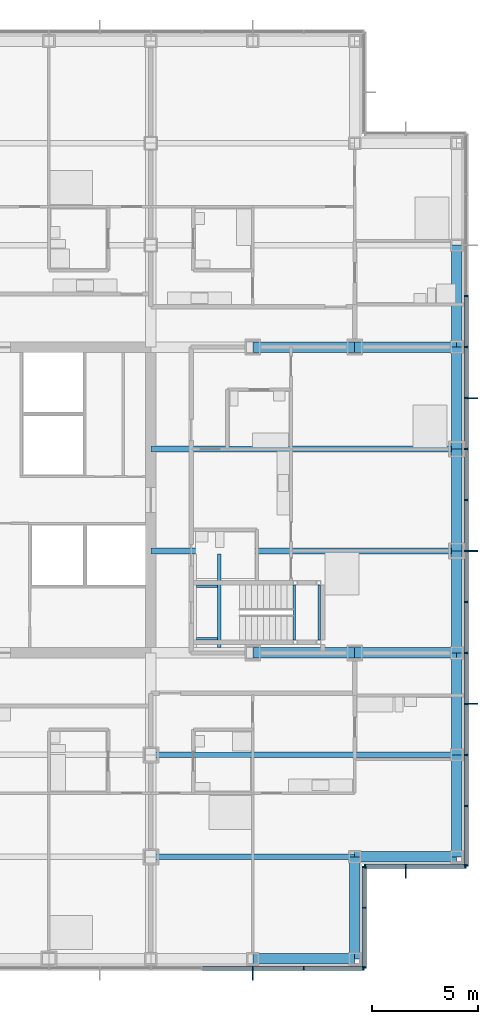
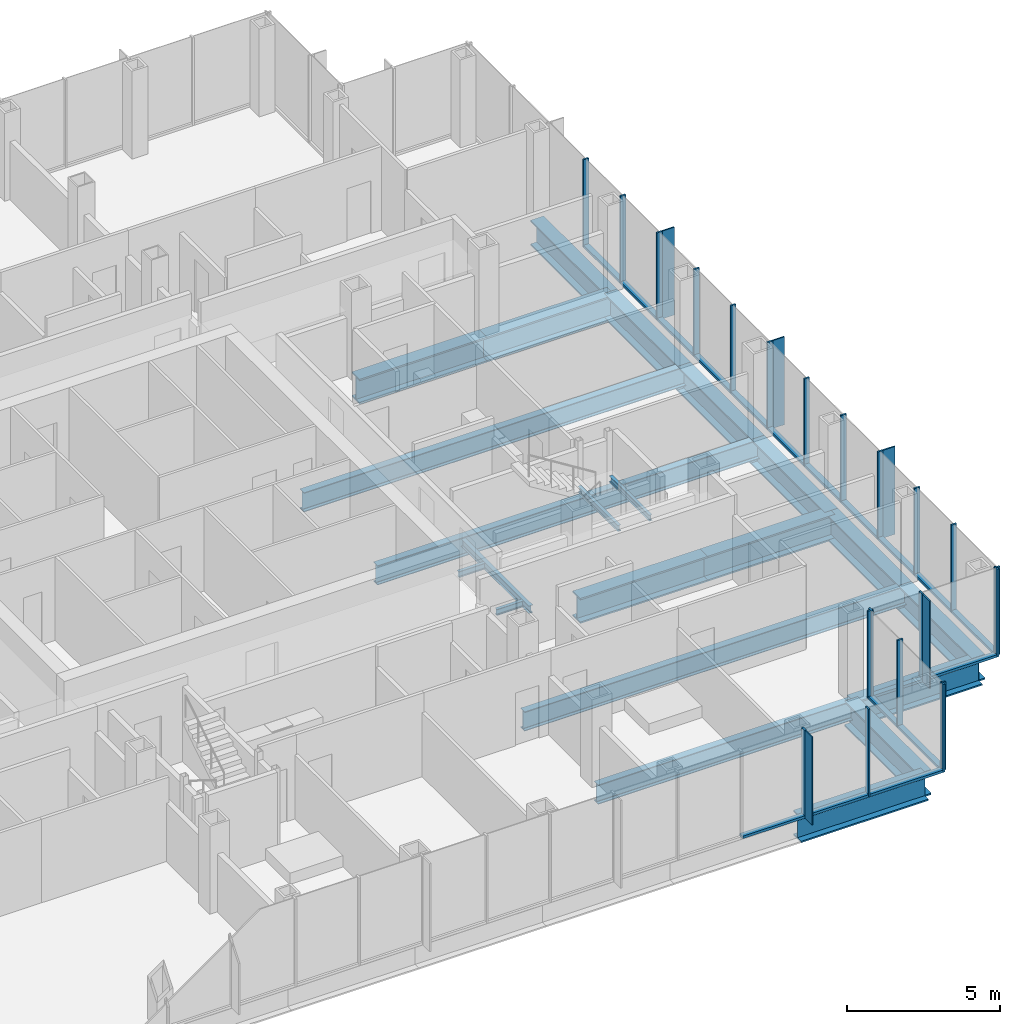
# One storey, part 9 of 21: 44 members, 22 beams, 4 elements without a shape of their own.
"""IFC4 building model written with IfcOpenShell, lengths in metres."""

import ifcopenshell
import ifcopenshell.guid

model = None  # the IFC model being written
_history = None  # IfcOwnerHistory: only IFC2X3 demands one
_inside = {}  # id of a spatial element -> (the spatial element, [elements in it])
_under = {}  # id of a project, library or spatial element -> (it, [spatial elements below it])
_declared = {}  # id of a project -> (the project, [libraries it declares])
_typed = {}  # id of a type object -> (the type object, [elements of that type])
_made_of = {}  # id of a material, layer set ... -> (it, [elements and type objects made of it])


def new_model(schema):
    """Start an empty IFC model of exactly this schema.

    Asked for "IFC4X3", IfcOpenShell would pick the latest addendum, in which some entities
    have other attributes; the version numbers below select the first issue.
    IFC2X3 requires an IfcOwnerHistory on every rooted entity: one is made here for all.
    """
    global model, _history
    if schema == "IFC4X3":
        model = ifcopenshell.file(schema_version=(4, 3, 0, 0))
    else:
        model = ifcopenshell.file(schema=schema)
    _inside.clear()
    _under.clear()
    _declared.clear()
    _typed.clear()
    _made_of.clear()
    _history = None
    if model.schema == "IFC2X3":
        org = make("IfcOrganization", Name="unknown")
        user = make(
            "IfcPersonAndOrganization",
            ThePerson=make("IfcPerson", FamilyName="unknown"),
            TheOrganization=org,
        )
        app = make(
            "IfcApplication",
            ApplicationDeveloper=org,
            Version="unknown",
            ApplicationFullName="unknown",
            ApplicationIdentifier="unknown",
        )
        _history = make(
            "IfcOwnerHistory",
            OwningUser=user,
            OwningApplication=app,
            ChangeAction="ADDED",
            CreationDate=0,
        )
    return model


def make(cls, **values):
    """One entity of the class cls with the attributes given. An attribute that is None is left unset."""
    return model.create_entity(
        cls, **{name: value for name, value in values.items() if value is not None}
    )


def rooted(cls, **values):
    """An entity with a GlobalId (a new one), such as an element, a storey or a relation."""
    return make(cls, GlobalId=ifcopenshell.guid.new(), OwnerHistory=_history, **values)


def si_unit(unit_type, name, prefix=None):
    """IfcSIUnit, for example si_unit("LENGTHUNIT", "METRE", prefix="MILLI")."""
    return make("IfcSIUnit", UnitType=unit_type, Prefix=prefix, Name=name)


def assignment(units):
    """IfcUnitAssignment: the units of a project."""
    return None if units is None else make("IfcUnitAssignment", Units=units)


def point(xyz):
    """IfcCartesianPoint."""
    return None if xyz is None else make("IfcCartesianPoint", Coordinates=xyz)


def direction(xyz):
    """IfcDirection."""
    return None if xyz is None else make("IfcDirection", DirectionRatios=xyz)


def frame(location, z_axis=None, x_axis=None):
    """IfcAxis2Placement3D, a coordinate frame: its origin and axes. An axis left out is left unset."""
    return make(
        "IfcAxis2Placement3D",
        Location=point(location),
        Axis=direction(z_axis),
        RefDirection=direction(x_axis),
    )


def frame_2d(location, x_axis=None):
    """IfcAxis2Placement2D, a coordinate frame in the plane: its origin and x axis."""
    return make(
        "IfcAxis2Placement2D", Location=point(location), RefDirection=direction(x_axis)
    )


def origin():
    """The frame at (0, 0, 0) with its axes left unset."""
    return frame((0.0, 0.0, 0.0))


def origin_2d():
    """The frame at (0, 0) in the plane with its x axis left unset."""
    return frame_2d((0.0, 0.0))


def place(relative_to, where):
    """IfcLocalPlacement: puts the frame where relative to a parent placement (None: the world)."""
    return make(
        "IfcLocalPlacement", PlacementRelTo=relative_to, RelativePlacement=where
    )


def context(
    kind, dimensions, precision=None, world=None, true_north=None, identifier=None
):
    """IfcGeometricRepresentationContext, for example the 3D "Model" context."""
    return make(
        "IfcGeometricRepresentationContext",
        ContextIdentifier=identifier,
        ContextType=kind,
        CoordinateSpaceDimension=dimensions,
        Precision=precision,
        WorldCoordinateSystem=world,
        TrueNorth=true_north,
    )


def subcontext(parent, identifier, kind, view, scale=None):
    """IfcGeometricRepresentationSubContext, for example "Body" below "Model"."""
    return make(
        "IfcGeometricRepresentationSubContext",
        ContextIdentifier=identifier,
        ContextType=kind,
        ParentContext=parent,
        TargetScale=scale,
        TargetView=view,
    )


def project(units=None, contexts=None):
    """IfcProject with its units and contexts."""
    return rooted(
        "IfcProject",
        Name="project",
        RepresentationContexts=contexts,
        UnitsInContext=assignment(units),
    )


def spatial(cls, under=None, at=None, **own):
    """A site, building, storey or space (cls), placed at a placement, below another one or the project."""
    s = rooted(cls, ObjectPlacement=at, **own)
    if under is not None:
        _under.setdefault(under.id(), (under, []))[1].append(s)
    return s


def profile(cls, at=None, kind="AREA", **sizes):
    """A parametric profile (cls). Its sizes go by their IFC names, for example OverallWidth=200.0."""
    return make(cls, ProfileType=kind, Position=at, **sizes)


def rectangle(**sizes):
    """IfcRectangleProfileDef."""
    return profile("IfcRectangleProfileDef", **sizes)


def i_section(**sizes):
    """IfcIShapeProfileDef."""
    return profile("IfcIShapeProfileDef", **sizes)


def extrude(swept, where, along, depth):
    """IfcExtrudedAreaSolid: the profile swept, set in the frame where, extruded along a direction by depth."""
    return make(
        "IfcExtrudedAreaSolid",
        SweptArea=swept,
        Position=where,
        ExtrudedDirection=direction(along),
        Depth=depth,
    )


def shape(context_of_items, identifier, shape_type, items):
    """IfcShapeRepresentation: the items that make up one representation, for example the "Body"."""
    return make(
        "IfcShapeRepresentation",
        ContextOfItems=context_of_items,
        RepresentationIdentifier=identifier,
        RepresentationType=shape_type,
        Items=items,
    )


def material(Name=None, Category=None):
    """IfcMaterial."""
    return make("IfcMaterial", Name=Name, Category=Category)


def material_profile(
    of_material, cross_section, Name=None, Category=None, Priority=None
):
    """IfcMaterialProfile: a cross section and its material."""
    return make(
        "IfcMaterialProfile",
        Name=Name,
        Material=of_material,
        Profile=cross_section,
        Priority=Priority,
        Category=Category,
    )


def profile_set(profiles, Name=None, composite=None):
    """IfcMaterialProfileSet."""
    return make(
        "IfcMaterialProfileSet",
        Name=Name,
        MaterialProfiles=profiles,
        CompositeProfile=composite,
    )


def made_of(thing, what):
    """Note that an element or type object is made of a material, layer set ...; save() writes the relation."""
    if what is not None:
        _made_of.setdefault(what.id(), (what, []))[1].append(thing)
    return thing


def type_object(cls, material=None, **own):
    """A type object (cls), such as IfcWallType, which elements share."""
    return made_of(rooted(cls, **own), material)


def element(
    cls,
    number,
    at=None,
    inside=None,
    cuts=None,
    type_object=None,
    material=None,
    context=None,
    identifier="Body",
    shape_type=None,
    held_by="IfcProductDefinitionShape",
    body=None,
    shapes=None,
    **own,
):
    """One element of the class cls, such as IfcWall. Its Tag is "e" and its number.

    at: its placement. inside: the storey or other place that contains it. cuts: it is an
    opening in that element (IfcRelVoidsElement). A single representation is given by context,
    identifier, shape_type and body (its items); several are given by shapes. held_by: the class
    of the entity that holds the representations. save() writes the other relations.
    """
    e = rooted(cls, Tag="e%d" % number, ObjectPlacement=at, **own)
    if body is not None:
        shapes = [shape(context, identifier, shape_type, body)]
    if shapes is not None:
        e.Representation = make(held_by, Representations=shapes)
    if inside is not None:
        _inside.setdefault(inside.id(), (inside, []))[1].append(e)
    if cuts is not None:
        rooted(
            "IfcRelVoidsElement", RelatingBuildingElement=cuts, RelatedOpeningElement=e
        )
    if type_object is not None:
        _typed.setdefault(type_object.id(), (type_object, []))[1].append(e)
    return made_of(e, material)


def aggregate(whole, parts):
    """IfcRelAggregates: a whole, such as a stair, and the parts it consists of."""
    return rooted("IfcRelAggregates", RelatingObject=whole, RelatedObjects=parts)


def save(model, path):
    """Write the relations noted so far, then the file.

    IfcRelAggregates (storeys below a building ...), IfcRelContainedInSpatialStructure (elements
    in a storey), IfcRelDefinesByType, IfcRelAssociatesMaterial and IfcRelDeclares: one each for
    every whole, place, type object, material and project.
    """
    for whole, parts in _under.values():
        aggregate(whole, parts)
    for where, things in _inside.values():
        rooted(
            "IfcRelContainedInSpatialStructure",
            RelatedElements=things,
            RelatingStructure=where,
        )
    for kind, things in _typed.values():
        rooted("IfcRelDefinesByType", RelatedObjects=things, RelatingType=kind)
    for what, things in _made_of.values():
        rooted("IfcRelAssociatesMaterial", RelatedObjects=things, RelatingMaterial=what)
    for by, libraries in _declared.values():
        rooted("IfcRelDeclares", RelatingContext=by, RelatedDefinitions=libraries)
    model.write(path)


model = new_model("IFC4")

# Units and contexts
model_context = context("Model", 3, precision=1e-05, world=origin(), true_north=direction((0.0, 1.0)))
body_context = subcontext(model_context, "Body", "Model", "MODEL_VIEW")
ifc_project = project(units=[si_unit("LENGTHUNIT", "METRE"), si_unit("AREAUNIT", "SQUARE_METRE"), si_unit("VOLUMEUNIT", "CUBIC_METRE"), si_unit("PLANEANGLEUNIT", "RADIAN"), si_unit("MASSUNIT", "GRAM", prefix="KILO")], contexts=[model_context])

# Site, building, storey
site_placement = place(None, origin())
site = spatial("IfcSite", under=ifc_project, at=site_placement, CompositionType="ELEMENT")
building_placement = place(site_placement, origin())
building = spatial("IfcBuilding", under=site, at=building_placement, Name="Kvirike Care Tower", CompositionType="ELEMENT")
storey_placement = place(building_placement, frame((0.0, 0.0, 62.0)))
storey = spatial("IfcBuildingStorey", under=building, at=storey_placement, Name="L16", CompositionType="ELEMENT", Elevation=62.0)

# Curtain wall, member
ifc_material_1 = material(Name="Anodised aluminium stick system", Category="aluminium")
curtain_wall_type = type_object("IfcCurtainWallType", Name="CW-A STICK CURTAIN WALL", PredefinedType="NOTDEFINED", material=ifc_material_1)
curtain_wall_1_placement = place(storey_placement, origin())
curtain_wall_1 = element("IfcCurtainWall", 1, at=curtain_wall_1_placement, inside=storey, type_object=curtain_wall_type, Name="Curtain wall L16 face 4", PredefinedType="NOTDEFINED")
ifc_material_2 = material(Name="Bronze anodised aluminium fin", Category="aluminium")
ifc_material_profile_1 = material_profile(ifc_material_2, rectangle(XDim=0.050048828125, YDim=0.449951171875, at=origin_2d()), Name="BRONZE FIN 450")
ifc_profile_set_1 = profile_set([ifc_material_profile_1], Name="Bronze anodised aluminium fin")
member_type_1 = type_object("IfcMemberType", Name="BRONZE FIN 450", PredefinedType="USERDEFINED", material=ifc_profile_set_1)
member_1_placement = place(storey_placement, frame((33.60009765625, 13.625, 0.0), z_axis=(0.0, 0.0, 1.0), x_axis=(1.0, 0.0, 0.0)))
member_1 = element("IfcMember", 2, at=member_1_placement, type_object=member_type_1, Name="Bronze fin L16 face 4.13", ObjectType="FIN", PredefinedType="USERDEFINED", context=body_context, shape_type="SweptSolid", body=[
    extrude(rectangle(XDim=0.050048828125, YDim=0.449951171875, at=origin_2d()), origin(), (0.0, 0.0, 1.0), 3.5),
])

curtain_wall_2_placement = place(storey_placement, origin())
curtain_wall_2 = element("IfcCurtainWall", 3, at=curtain_wall_2_placement, inside=storey, type_object=curtain_wall_type, Name="Curtain wall L16 face 6", PredefinedType="NOTDEFINED")
member_2_placement = place(storey_placement, frame((40.800048828125, 18.425048828125, 0.0), z_axis=(0.0, 0.0, 1.0), x_axis=(1.0, 0.0, 0.0)))
member_2 = element("IfcMember", 4, at=member_2_placement, type_object=member_type_1, Name="Bronze fin L16 face 6.2", ObjectType="FIN", PredefinedType="USERDEFINED", context=body_context, shape_type="SweptSolid", body=[
    extrude(rectangle(XDim=0.050048828125, YDim=0.449951171875, at=origin_2d()), origin(), (0.0, 0.0, 1.0), 3.5),
])

# Curtain wall, members
curtain_wall_3_placement = place(storey_placement, origin())
curtain_wall_3 = element("IfcCurtainWall", 5, at=curtain_wall_3_placement, inside=storey, type_object=curtain_wall_type, Name="Curtain wall L16 face 7", PredefinedType="NOTDEFINED")
member_3_placement = place(storey_placement, frame((43.97509765625, 26.39990234375, 0.0), z_axis=(0.0, 0.0, 1.0), x_axis=(0.0, 1.0, 0.0)))
member_3 = element("IfcMember", 6, at=member_3_placement, type_object=member_type_1, Name="Bronze fin L16 face 7.4", ObjectType="FIN", PredefinedType="USERDEFINED", context=body_context, shape_type="SweptSolid", body=[
    extrude(rectangle(XDim=0.050048828125, YDim=0.449951171875, at=origin_2d()), origin(), (0.0, 0.0, 1.0), 3.5),
])
member_4_placement = place(storey_placement, frame((43.97509765625, 33.60009765625, 0.0), z_axis=(0.0, 0.0, 1.0), x_axis=(0.0, 1.0, 0.0)))
member_4 = element("IfcMember", 7, at=member_4_placement, type_object=member_type_1, Name="Bronze fin L16 face 7.7", ObjectType="FIN", PredefinedType="USERDEFINED", context=body_context, shape_type="SweptSolid", body=[
    extrude(rectangle(XDim=0.050048828125, YDim=0.449951171875, at=origin_2d()), origin(), (0.0, 0.0, 1.0), 3.5),
])
member_5_placement = place(storey_placement, frame((43.97509765625, 40.800048828125, 0.0), z_axis=(0.0, 0.0, 1.0), x_axis=(0.0, 1.0, 0.0)))
member_5 = element("IfcMember", 8, at=member_5_placement, type_object=member_type_1, Name="Bronze fin L16 face 7.10", ObjectType="FIN", PredefinedType="USERDEFINED", context=body_context, shape_type="SweptSolid", body=[
    extrude(rectangle(XDim=0.050048828125, YDim=0.449951171875, at=origin_2d()), origin(), (0.0, 0.0, 1.0), 3.5),
])

# Member
ifc_material_3 = material(Name="Bronze anodised aluminium mullion", Category="aluminium")
ifc_material_profile_2 = material_profile(ifc_material_3, rectangle(XDim=0.06494140625, YDim=0.199951171875, at=origin_2d()), Name="CW-A MULLION 65x200")
ifc_profile_set_2 = profile_set([ifc_material_profile_2], Name="Bronze anodised aluminium mullion")
member_type_2 = type_object("IfcMemberType", Name="CW-A MULLION 65x200", PredefinedType="MULLION", material=ifc_profile_set_2)
member_6_placement = place(storey_placement, frame((33.60009765625, 13.949951171875, 0.0), z_axis=(0.0, 0.0, 1.0), x_axis=(1.0, 0.0, 0.0)))
member_6 = element("IfcMember", 9, at=member_6_placement, type_object=member_type_2, Name="CW-A mullion L16 face 4.13", PredefinedType="MULLION", context=body_context, shape_type="SweptSolid", body=[
    extrude(rectangle(XDim=0.06494140625, YDim=0.199951171875, at=origin_2d()), origin(), (0.0, 0.0, 1.0), 3.5),
])

member_7_placement = place(storey_placement, frame((36.0, 13.949951171875, 0.0), z_axis=(0.0, 0.0, 1.0), x_axis=(1.0, 0.0, 0.0)))
member_7 = element("IfcMember", 10, at=member_7_placement, type_object=member_type_2, Name="CW-A mullion L16 face 4.14", PredefinedType="MULLION", context=body_context, shape_type="SweptSolid", body=[
    extrude(rectangle(XDim=0.06494140625, YDim=0.199951171875, at=origin_2d()), origin(), (0.0, 0.0, 1.0), 3.5),
])

member_8_placement = place(storey_placement, frame((38.8173828125, 13.949951171875, 0.0), z_axis=(0.0, 0.0, 1.0), x_axis=(1.0, 0.0, 0.0)))
member_8 = element("IfcMember", 11, at=member_8_placement, type_object=member_type_2, Name="CW-A mullion L16 face 4.15", PredefinedType="MULLION", context=body_context, shape_type="SweptSolid", body=[
    extrude(rectangle(XDim=0.06494140625, YDim=0.199951171875, at=origin_2d()), origin(), (0.0, 0.0, 1.0), 3.5),
])

# Curtain wall, members
curtain_wall_4_placement = place(storey_placement, origin())
curtain_wall_4 = element("IfcCurtainWall", 12, at=curtain_wall_4_placement, inside=storey, type_object=curtain_wall_type, Name="Curtain wall L16 face 5", PredefinedType="NOTDEFINED")
member_9_placement = place(storey_placement, frame((38.85009765625, 13.982421875, 0.0), z_axis=(0.0, 0.0, 1.0), x_axis=(0.0, 1.0, 0.0)))
member_9 = element("IfcMember", 13, at=member_9_placement, type_object=member_type_2, Name="CW-A mullion L16 face 5.1", PredefinedType="MULLION", context=body_context, shape_type="SweptSolid", body=[
    extrude(rectangle(XDim=0.06494140625, YDim=0.199951171875, at=origin_2d()), origin(), (0.0, 0.0, 1.0), 3.5),
])
member_10_placement = place(storey_placement, frame((38.85009765625, 16.800048828125, 0.0), z_axis=(0.0, 0.0, 1.0), x_axis=(0.0, 1.0, 0.0)))
member_10 = element("IfcMember", 14, at=member_10_placement, type_object=member_type_2, Name="CW-A mullion L16 face 5.2", PredefinedType="MULLION", context=body_context, shape_type="SweptSolid", body=[
    extrude(rectangle(XDim=0.06494140625, YDim=0.199951171875, at=origin_2d()), origin(), (0.0, 0.0, 1.0), 3.5),
])
member_11_placement = place(storey_placement, frame((38.85009765625, 18.717529296875, 0.0), z_axis=(0.0, 0.0, 1.0), x_axis=(0.0, 1.0, 0.0)))
member_11 = element("IfcMember", 15, at=member_11_placement, type_object=member_type_2, Name="CW-A mullion L16 face 5.3", PredefinedType="MULLION", context=body_context, shape_type="SweptSolid", body=[
    extrude(rectangle(XDim=0.06494140625, YDim=0.199951171875, at=origin_2d()), origin(), (0.0, 0.0, 1.0), 3.5),
])

# Member
member_12_placement = place(storey_placement, frame((38.882568359375, 18.75, 0.0), z_axis=(0.0, 0.0, 1.0), x_axis=(1.0, 0.0, 0.0)))
member_12 = element("IfcMember", 16, at=member_12_placement, type_object=member_type_2, Name="CW-A mullion L16 face 6.1", PredefinedType="MULLION", context=body_context, shape_type="SweptSolid", body=[
    extrude(rectangle(XDim=0.06494140625, YDim=0.199951171875, at=origin_2d()), origin(), (0.0, 0.0, 1.0), 3.5),
])

member_13_placement = place(storey_placement, frame((40.800048828125, 18.75, 0.0), z_axis=(0.0, 0.0, 1.0), x_axis=(1.0, 0.0, 0.0)))
member_13 = element("IfcMember", 17, at=member_13_placement, type_object=member_type_2, Name="CW-A mullion L16 face 6.2", PredefinedType="MULLION", context=body_context, shape_type="SweptSolid", body=[
    extrude(rectangle(XDim=0.06494140625, YDim=0.199951171875, at=origin_2d()), origin(), (0.0, 0.0, 1.0), 3.5),
])

member_14_placement = place(storey_placement, frame((43.617431640625, 18.75, 0.0), z_axis=(0.0, 0.0, 1.0), x_axis=(1.0, 0.0, 0.0)))
member_14 = element("IfcMember", 18, at=member_14_placement, type_object=member_type_2, Name="CW-A mullion L16 face 6.3", PredefinedType="MULLION", context=body_context, shape_type="SweptSolid", body=[
    extrude(rectangle(XDim=0.06494140625, YDim=0.199951171875, at=origin_2d()), origin(), (0.0, 0.0, 1.0), 3.5),
])

member_15_placement = place(storey_placement, frame((43.64990234375, 18.782470703125, 0.0), z_axis=(0.0, 0.0, 1.0), x_axis=(0.0, 1.0, 0.0)))
member_15 = element("IfcMember", 19, at=member_15_placement, type_object=member_type_2, Name="CW-A mullion L16 face 7.1", PredefinedType="MULLION", context=body_context, shape_type="SweptSolid", body=[
    extrude(rectangle(XDim=0.06494140625, YDim=0.199951171875, at=origin_2d()), origin(), (0.0, 0.0, 1.0), 3.5),
])

member_16_placement = place(storey_placement, frame((43.64990234375, 21.60009765625, 0.0), z_axis=(0.0, 0.0, 1.0), x_axis=(0.0, 1.0, 0.0)))
member_16 = element("IfcMember", 20, at=member_16_placement, type_object=member_type_2, Name="CW-A mullion L16 face 7.2", PredefinedType="MULLION", context=body_context, shape_type="SweptSolid", body=[
    extrude(rectangle(XDim=0.06494140625, YDim=0.199951171875, at=origin_2d()), origin(), (0.0, 0.0, 1.0), 3.5),
])

member_17_placement = place(storey_placement, frame((43.64990234375, 24.0, 0.0), z_axis=(0.0, 0.0, 1.0), x_axis=(0.0, 1.0, 0.0)))
member_17 = element("IfcMember", 21, at=member_17_placement, type_object=member_type_2, Name="CW-A mullion L16 face 7.3", PredefinedType="MULLION", context=body_context, shape_type="SweptSolid", body=[
    extrude(rectangle(XDim=0.06494140625, YDim=0.199951171875, at=origin_2d()), origin(), (0.0, 0.0, 1.0), 3.5),
])

member_18_placement = place(storey_placement, frame((43.64990234375, 26.39990234375, 0.0), z_axis=(0.0, 0.0, 1.0), x_axis=(0.0, 1.0, 0.0)))
member_18 = element("IfcMember", 22, at=member_18_placement, type_object=member_type_2, Name="CW-A mullion L16 face 7.4", PredefinedType="MULLION", context=body_context, shape_type="SweptSolid", body=[
    extrude(rectangle(XDim=0.06494140625, YDim=0.199951171875, at=origin_2d()), origin(), (0.0, 0.0, 1.0), 3.5),
])

member_19_placement = place(storey_placement, frame((43.64990234375, 28.800048828125, 0.0), z_axis=(0.0, 0.0, 1.0), x_axis=(0.0, 1.0, 0.0)))
member_19 = element("IfcMember", 23, at=member_19_placement, type_object=member_type_2, Name="CW-A mullion L16 face 7.5", PredefinedType="MULLION", context=body_context, shape_type="SweptSolid", body=[
    extrude(rectangle(XDim=0.06494140625, YDim=0.199951171875, at=origin_2d()), origin(), (0.0, 0.0, 1.0), 3.5),
])

member_20_placement = place(storey_placement, frame((43.64990234375, 31.199951171875, 0.0), z_axis=(0.0, 0.0, 1.0), x_axis=(0.0, 1.0, 0.0)))
member_20 = element("IfcMember", 24, at=member_20_placement, type_object=member_type_2, Name="CW-A mullion L16 face 7.6", PredefinedType="MULLION", context=body_context, shape_type="SweptSolid", body=[
    extrude(rectangle(XDim=0.06494140625, YDim=0.199951171875, at=origin_2d()), origin(), (0.0, 0.0, 1.0), 3.5),
])

member_21_placement = place(storey_placement, frame((43.64990234375, 33.60009765625, 0.0), z_axis=(0.0, 0.0, 1.0), x_axis=(0.0, 1.0, 0.0)))
member_21 = element("IfcMember", 25, at=member_21_placement, type_object=member_type_2, Name="CW-A mullion L16 face 7.7", PredefinedType="MULLION", context=body_context, shape_type="SweptSolid", body=[
    extrude(rectangle(XDim=0.06494140625, YDim=0.199951171875, at=origin_2d()), origin(), (0.0, 0.0, 1.0), 3.5),
])

member_22_placement = place(storey_placement, frame((43.64990234375, 36.0, 0.0), z_axis=(0.0, 0.0, 1.0), x_axis=(0.0, 1.0, 0.0)))
member_22 = element("IfcMember", 26, at=member_22_placement, type_object=member_type_2, Name="CW-A mullion L16 face 7.8", PredefinedType="MULLION", context=body_context, shape_type="SweptSolid", body=[
    extrude(rectangle(XDim=0.06494140625, YDim=0.199951171875, at=origin_2d()), origin(), (0.0, 0.0, 1.0), 3.5),
])

member_23_placement = place(storey_placement, frame((43.64990234375, 38.39990234375, 0.0), z_axis=(0.0, 0.0, 1.0), x_axis=(0.0, 1.0, 0.0)))
member_23 = element("IfcMember", 27, at=member_23_placement, type_object=member_type_2, Name="CW-A mullion L16 face 7.9", PredefinedType="MULLION", context=body_context, shape_type="SweptSolid", body=[
    extrude(rectangle(XDim=0.06494140625, YDim=0.199951171875, at=origin_2d()), origin(), (0.0, 0.0, 1.0), 3.5),
])

member_24_placement = place(storey_placement, frame((43.64990234375, 40.800048828125, 0.0), z_axis=(0.0, 0.0, 1.0), x_axis=(0.0, 1.0, 0.0)))
member_24 = element("IfcMember", 28, at=member_24_placement, type_object=member_type_2, Name="CW-A mullion L16 face 7.10", PredefinedType="MULLION", context=body_context, shape_type="SweptSolid", body=[
    extrude(rectangle(XDim=0.06494140625, YDim=0.199951171875, at=origin_2d()), origin(), (0.0, 0.0, 1.0), 3.5),
])

member_25_placement = place(storey_placement, frame((43.64990234375, 43.199951171875, 0.0), z_axis=(0.0, 0.0, 1.0), x_axis=(0.0, 1.0, 0.0)))
member_25 = element("IfcMember", 29, at=member_25_placement, type_object=member_type_2, Name="CW-A mullion L16 face 7.11", PredefinedType="MULLION", context=body_context, shape_type="SweptSolid", body=[
    extrude(rectangle(XDim=0.06494140625, YDim=0.199951171875, at=origin_2d()), origin(), (0.0, 0.0, 1.0), 3.5),
])

member_26_placement = place(storey_placement, frame((43.64990234375, 45.60009765625, 0.0), z_axis=(0.0, 0.0, 1.0), x_axis=(0.0, 1.0, 0.0)))
member_26 = element("IfcMember", 30, at=member_26_placement, type_object=member_type_2, Name="CW-A mullion L16 face 7.12", PredefinedType="MULLION", context=body_context, shape_type="SweptSolid", body=[
    extrude(rectangle(XDim=0.06494140625, YDim=0.199951171875, at=origin_2d()), origin(), (0.0, 0.0, 1.0), 3.5),
])

ifc_material_4 = material(Name="Bronze anodised aluminium transom", Category="aluminium")
ifc_material_profile_3 = material_profile(ifc_material_4, rectangle(XDim=0.199951171875, YDim=0.10009765625, at=origin_2d()), Name="CW-A TRANSOM 200x100")
ifc_profile_set_3 = profile_set([ifc_material_profile_3], Name="Bronze anodised aluminium transom")
member_type_3 = type_object("IfcMemberType", Name="CW-A TRANSOM 200x100", PredefinedType="USERDEFINED", material=ifc_profile_set_3)
member_27_placement = place(storey_placement, frame((31.232421875, 13.949951171875, 0.050048828125), z_axis=(1.0, 0.0, 0.0), x_axis=(0.0, 1.0, 0.0)))
member_27 = element("IfcMember", 31, at=member_27_placement, type_object=member_type_3, Name="CW-A sill transom L16 face 4.12", ObjectType="TRANSOM", PredefinedType="USERDEFINED", context=body_context, shape_type="SweptSolid", body=[
    extrude(rectangle(XDim=0.199951171875, YDim=0.10009765625, at=origin_2d()), origin(), (0.0, 0.0, 1.0), 2.3349609375),
])

member_28_placement = place(storey_placement, frame((33.632568359375, 13.949951171875, 0.050048828125), z_axis=(1.0, 0.0, 0.0), x_axis=(0.0, 1.0, 0.0)))
member_28 = element("IfcMember", 32, at=member_28_placement, type_object=member_type_3, Name="CW-A sill transom L16 face 4.13", ObjectType="TRANSOM", PredefinedType="USERDEFINED", context=body_context, shape_type="SweptSolid", body=[
    extrude(rectangle(XDim=0.199951171875, YDim=0.10009765625, at=origin_2d()), origin(), (0.0, 0.0, 1.0), 2.3349609375),
])

member_29_placement = place(storey_placement, frame((36.032470703125, 13.949951171875, 0.050048828125), z_axis=(1.0, 0.0, 0.0), x_axis=(0.0, 1.0, 0.0)))
member_29 = element("IfcMember", 33, at=member_29_placement, type_object=member_type_3, Name="CW-A sill transom L16 face 4.14", ObjectType="TRANSOM", PredefinedType="USERDEFINED", context=body_context, shape_type="SweptSolid", body=[
    extrude(rectangle(XDim=0.199951171875, YDim=0.10009765625, at=origin_2d()), origin(), (0.0, 0.0, 1.0), 2.75244140625),
])

aggregate(curtain_wall_1, [member_6, member_1, member_7, member_8, member_27, member_28, member_29])

member_30_placement = place(storey_placement, frame((38.85009765625, 14.014892578125, 0.050048828125), z_axis=(0.0, 1.0, 0.0), x_axis=(-1.0, 0.0, 0.0)))
member_30 = element("IfcMember", 34, at=member_30_placement, type_object=member_type_3, Name="CW-A sill transom L16 face 5.1", ObjectType="TRANSOM", PredefinedType="USERDEFINED", context=body_context, shape_type="SweptSolid", body=[
    extrude(rectangle(XDim=0.199951171875, YDim=0.10009765625, at=origin_2d()), origin(), (0.0, 0.0, 1.0), 2.752685546875),
])

member_31_placement = place(storey_placement, frame((38.85009765625, 16.83251953125, 0.050048828125), z_axis=(0.0, 1.0, 0.0), x_axis=(-1.0, 0.0, 0.0)))
member_31 = element("IfcMember", 35, at=member_31_placement, type_object=member_type_3, Name="CW-A sill transom L16 face 5.2", ObjectType="TRANSOM", PredefinedType="USERDEFINED", context=body_context, shape_type="SweptSolid", body=[
    extrude(rectangle(XDim=0.199951171875, YDim=0.10009765625, at=origin_2d()), origin(), (0.0, 0.0, 1.0), 1.8525390625),
])

aggregate(curtain_wall_4, [member_9, member_10, member_11, member_30, member_31])

member_32_placement = place(storey_placement, frame((38.9150390625, 18.75, 0.050048828125), z_axis=(1.0, 0.0, 0.0), x_axis=(0.0, 1.0, 0.0)))
member_32 = element("IfcMember", 36, at=member_32_placement, type_object=member_type_3, Name="CW-A sill transom L16 face 6.1", ObjectType="TRANSOM", PredefinedType="USERDEFINED", context=body_context, shape_type="SweptSolid", body=[
    extrude(rectangle(XDim=0.199951171875, YDim=0.10009765625, at=origin_2d()), origin(), (0.0, 0.0, 1.0), 1.8525390625),
])

member_33_placement = place(storey_placement, frame((40.83251953125, 18.75, 0.050048828125), z_axis=(1.0, 0.0, 0.0), x_axis=(0.0, 1.0, 0.0)))
member_33 = element("IfcMember", 37, at=member_33_placement, type_object=member_type_3, Name="CW-A sill transom L16 face 6.2", ObjectType="TRANSOM", PredefinedType="USERDEFINED", context=body_context, shape_type="SweptSolid", body=[
    extrude(rectangle(XDim=0.199951171875, YDim=0.10009765625, at=origin_2d()), origin(), (0.0, 0.0, 1.0), 2.75244140625),
])

aggregate(curtain_wall_2, [member_12, member_13, member_2, member_14, member_32, member_33])

member_34_placement = place(storey_placement, frame((43.64990234375, 18.81494140625, 0.050048828125), z_axis=(0.0, 1.0, 0.0), x_axis=(-1.0, 0.0, 0.0)))
member_34 = element("IfcMember", 38, at=member_34_placement, type_object=member_type_3, Name="CW-A sill transom L16 face 7.1", ObjectType="TRANSOM", PredefinedType="USERDEFINED", context=body_context, shape_type="SweptSolid", body=[
    extrude(rectangle(XDim=0.199951171875, YDim=0.10009765625, at=origin_2d()), origin(), (0.0, 0.0, 1.0), 2.75244140625),
])

member_35_placement = place(storey_placement, frame((43.64990234375, 21.632568359375, 0.050048828125), z_axis=(0.0, 1.0, 0.0), x_axis=(-1.0, 0.0, 0.0)))
member_35 = element("IfcMember", 39, at=member_35_placement, type_object=member_type_3, Name="CW-A sill transom L16 face 7.2", ObjectType="TRANSOM", PredefinedType="USERDEFINED", context=body_context, shape_type="SweptSolid", body=[
    extrude(rectangle(XDim=0.199951171875, YDim=0.10009765625, at=origin_2d()), origin(), (0.0, 0.0, 1.0), 2.3349609375),
])

member_36_placement = place(storey_placement, frame((43.64990234375, 24.032470703125, 0.050048828125), z_axis=(0.0, 1.0, 0.0), x_axis=(-1.0, 0.0, 0.0)))
member_36 = element("IfcMember", 40, at=member_36_placement, type_object=member_type_3, Name="CW-A sill transom L16 face 7.3", ObjectType="TRANSOM", PredefinedType="USERDEFINED", context=body_context, shape_type="SweptSolid", body=[
    extrude(rectangle(XDim=0.199951171875, YDim=0.10009765625, at=origin_2d()), origin(), (0.0, 0.0, 1.0), 2.3349609375),
])

member_37_placement = place(storey_placement, frame((43.64990234375, 26.4326171875, 0.050048828125), z_axis=(0.0, 1.0, 0.0), x_axis=(-1.0, 0.0, 0.0)))
member_37 = element("IfcMember", 41, at=member_37_placement, type_object=member_type_3, Name="CW-A sill transom L16 face 7.4", ObjectType="TRANSOM", PredefinedType="USERDEFINED", context=body_context, shape_type="SweptSolid", body=[
    extrude(rectangle(XDim=0.199951171875, YDim=0.10009765625, at=origin_2d()), origin(), (0.0, 0.0, 1.0), 2.3349609375),
])

member_38_placement = place(storey_placement, frame((43.64990234375, 28.83251953125, 0.050048828125), z_axis=(0.0, 1.0, 0.0), x_axis=(-1.0, 0.0, 0.0)))
member_38 = element("IfcMember", 42, at=member_38_placement, type_object=member_type_3, Name="CW-A sill transom L16 face 7.5", ObjectType="TRANSOM", PredefinedType="USERDEFINED", context=body_context, shape_type="SweptSolid", body=[
    extrude(rectangle(XDim=0.199951171875, YDim=0.10009765625, at=origin_2d()), origin(), (0.0, 0.0, 1.0), 2.3349609375),
])

member_39_placement = place(storey_placement, frame((43.64990234375, 31.232421875, 0.050048828125), z_axis=(0.0, 1.0, 0.0), x_axis=(-1.0, 0.0, 0.0)))
member_39 = element("IfcMember", 43, at=member_39_placement, type_object=member_type_3, Name="CW-A sill transom L16 face 7.6", ObjectType="TRANSOM", PredefinedType="USERDEFINED", context=body_context, shape_type="SweptSolid", body=[
    extrude(rectangle(XDim=0.199951171875, YDim=0.10009765625, at=origin_2d()), origin(), (0.0, 0.0, 1.0), 2.3349609375),
])

member_40_placement = place(storey_placement, frame((43.64990234375, 33.632568359375, 0.050048828125), z_axis=(0.0, 1.0, 0.0), x_axis=(-1.0, 0.0, 0.0)))
member_40 = element("IfcMember", 44, at=member_40_placement, type_object=member_type_3, Name="CW-A sill transom L16 face 7.7", ObjectType="TRANSOM", PredefinedType="USERDEFINED", context=body_context, shape_type="SweptSolid", body=[
    extrude(rectangle(XDim=0.199951171875, YDim=0.10009765625, at=origin_2d()), origin(), (0.0, 0.0, 1.0), 2.3349609375),
])

member_41_placement = place(storey_placement, frame((43.64990234375, 36.032470703125, 0.050048828125), z_axis=(0.0, 1.0, 0.0), x_axis=(-1.0, 0.0, 0.0)))
member_41 = element("IfcMember", 45, at=member_41_placement, type_object=member_type_3, Name="CW-A sill transom L16 face 7.8", ObjectType="TRANSOM", PredefinedType="USERDEFINED", context=body_context, shape_type="SweptSolid", body=[
    extrude(rectangle(XDim=0.199951171875, YDim=0.10009765625, at=origin_2d()), origin(), (0.0, 0.0, 1.0), 2.3349609375),
])

member_42_placement = place(storey_placement, frame((43.64990234375, 38.4326171875, 0.050048828125), z_axis=(0.0, 1.0, 0.0), x_axis=(-1.0, 0.0, 0.0)))
member_42 = element("IfcMember", 46, at=member_42_placement, type_object=member_type_3, Name="CW-A sill transom L16 face 7.9", ObjectType="TRANSOM", PredefinedType="USERDEFINED", context=body_context, shape_type="SweptSolid", body=[
    extrude(rectangle(XDim=0.199951171875, YDim=0.10009765625, at=origin_2d()), origin(), (0.0, 0.0, 1.0), 2.3349609375),
])

member_43_placement = place(storey_placement, frame((43.64990234375, 40.83251953125, 0.050048828125), z_axis=(0.0, 1.0, 0.0), x_axis=(-1.0, 0.0, 0.0)))
member_43 = element("IfcMember", 47, at=member_43_placement, type_object=member_type_3, Name="CW-A sill transom L16 face 7.10", ObjectType="TRANSOM", PredefinedType="USERDEFINED", context=body_context, shape_type="SweptSolid", body=[
    extrude(rectangle(XDim=0.199951171875, YDim=0.10009765625, at=origin_2d()), origin(), (0.0, 0.0, 1.0), 2.3349609375),
])

member_44_placement = place(storey_placement, frame((43.64990234375, 43.232421875, 0.050048828125), z_axis=(0.0, 1.0, 0.0), x_axis=(-1.0, 0.0, 0.0)))
member_44 = element("IfcMember", 48, at=member_44_placement, type_object=member_type_3, Name="CW-A sill transom L16 face 7.11", ObjectType="TRANSOM", PredefinedType="USERDEFINED", context=body_context, shape_type="SweptSolid", body=[
    extrude(rectangle(XDim=0.199951171875, YDim=0.10009765625, at=origin_2d()), origin(), (0.0, 0.0, 1.0), 2.3349609375),
])

aggregate(curtain_wall_3, [member_15, member_16, member_17, member_18, member_3, member_19, member_20, member_21, member_4, member_22, member_23, member_24, member_5, member_25, member_26, member_34, member_35, member_36, member_37, member_38, member_39, member_40, member_41, member_42, member_43, member_44])

# Beams
ifc_material_5 = material(Name="Steel S355", Category="steel")
ifc_material_profile_4 = material_profile(ifc_material_5, i_section(OverallWidth=0.26806640625, OverallDepth=0.77001953125, WebThickness=0.015625, FlangeThickness=0.025390625, FilletRadius=0.01708984375, at=origin_2d()), Name="IPE 750x196")
ifc_profile_set_4 = profile_set([ifc_material_profile_4], Name="Steel S355")
beam_type_1 = type_object("IfcBeamType", Name="FLOOR BEAM IPE 750x196", PredefinedType="BEAM", material=ifc_profile_set_4)
beam_1_placement = place(storey_placement, frame((28.800048828125, 19.199951171875, -0.554931640625), z_axis=(1.0, 0.0, 0.0), x_axis=(0.0, 1.0, 0.0)))
element("IfcBeam", 49, at=beam_1_placement, inside=storey, type_object=beam_type_1, Name="Floor Beam E9-E11 L16", PredefinedType="BEAM", context=body_context, shape_type="SweptSolid", body=[
    extrude(i_section(OverallWidth=0.26806640625, OverallDepth=0.77001953125, WebThickness=0.015625, FlangeThickness=0.025390625, FilletRadius=0.01708984375, at=origin_2d()), origin(), (0.0, 0.0, 1.0), 9.599853515625),
])
for number, where, z_axis, x_axis, name in (
    (50, (28.800048828125, 24.0, -0.554931640625), (1.0, 0.0, 0.0), (0.0, 1.0, 0.0), "Floor Beam F9-F12 L16"),
    (51, (28.800048828125, 33.60009765625, -0.554931640625), (1.0, 0.0, 0.0), (0.0, 1.0, 0.0), "Floor Beam H9-H12 L16"),
    (52, (28.800048828125, 38.39990234375, -0.554931640625), (1.0, 0.0, 0.0), (0.0, 1.0, 0.0), "Floor Beam J9-J12 L16"),
):
    element("IfcBeam", number, at=place(storey_placement, frame(where, z_axis=z_axis, x_axis=x_axis)), inside=storey, type_object=beam_type_1, Name=name, PredefinedType="BEAM", context=body_context, shape_type="SweptSolid", body=[
        extrude(i_section(OverallWidth=0.26806640625, OverallDepth=0.77001953125, WebThickness=0.015625, FlangeThickness=0.025390625, FilletRadius=0.01708984375, at=origin_2d()), origin(), (0.0, 0.0, 1.0), 14.39990234375),
    ])
ifc_material_6 = material(Name="Steel S355", Category="steel")
ifc_material_profile_5 = material_profile(ifc_material_6, i_section(OverallWidth=0.5, OverallDepth=1.0, WebThickness=0.030029296875, FlangeThickness=0.06005859375, at=origin_2d()), Name="PG 1000x500x30x60")
ifc_profile_set_5 = profile_set([ifc_material_profile_5], Name="Steel S355")
beam_type_2 = type_object("IfcBeamType", Name="FRAME BEAM PG 1000x500x30x60", PredefinedType="BEAM", material=ifc_profile_set_5)
beam_2_placement = place(storey_placement, frame((33.60009765625, 28.800048828125, -0.669921875), z_axis=(1.0, 0.0, 0.0), x_axis=(0.0, 1.0, 0.0)))
element("IfcBeam", 53, at=beam_2_placement, inside=storey, type_object=beam_type_2, Name="Frame Beam G10-G11 L16", PredefinedType="BEAM", context=body_context, shape_type="SweptSolid", body=[
    extrude(i_section(OverallWidth=0.5, OverallDepth=1.0, WebThickness=0.030029296875, FlangeThickness=0.06005859375, at=origin_2d()), origin(), (0.0, 0.0, 1.0), 4.7998046875),
])
beam_3_placement = place(storey_placement, frame((38.39990234375, 28.800048828125, -0.669921875), z_axis=(1.0, 0.0, 0.0), x_axis=(0.0, 1.0, 0.0)))
element("IfcBeam", 54, at=beam_3_placement, inside=storey, type_object=beam_type_2, Name="Frame Beam G11-G12 L16", PredefinedType="BEAM", context=body_context, shape_type="SweptSolid", body=[
    extrude(i_section(OverallWidth=0.5, OverallDepth=1.0, WebThickness=0.030029296875, FlangeThickness=0.06005859375, at=origin_2d()), origin(), (0.0, 0.0, 1.0), 4.800048828125),
])
beam_4_placement = place(storey_placement, frame((33.60009765625, 43.199951171875, -0.669921875), z_axis=(1.0, 0.0, 0.0), x_axis=(0.0, 1.0, 0.0)))
element("IfcBeam", 55, at=beam_4_placement, inside=storey, type_object=beam_type_2, Name="Frame Beam K10-K11 L16", PredefinedType="BEAM", context=body_context, shape_type="SweptSolid", body=[
    extrude(i_section(OverallWidth=0.5, OverallDepth=1.0, WebThickness=0.030029296875, FlangeThickness=0.06005859375, at=origin_2d()), origin(), (0.0, 0.0, 1.0), 4.7998046875),
])
beam_5_placement = place(storey_placement, frame((38.39990234375, 43.199951171875, -0.669921875), z_axis=(1.0, 0.0, 0.0), x_axis=(0.0, 1.0, 0.0)))
element("IfcBeam", 56, at=beam_5_placement, inside=storey, type_object=beam_type_2, Name="Frame Beam K11-K12 L16", PredefinedType="BEAM", context=body_context, shape_type="SweptSolid", body=[
    extrude(i_section(OverallWidth=0.5, OverallDepth=1.0, WebThickness=0.030029296875, FlangeThickness=0.06005859375, at=origin_2d()), origin(), (0.0, 0.0, 1.0), 4.800048828125),
])
ifc_material_7 = material(Name="Steel S355", Category="steel")
ifc_material_profile_6 = material_profile(ifc_material_7, i_section(OverallWidth=0.5, OverallDepth=1.0, WebThickness=0.030029296875, FlangeThickness=0.06005859375, at=origin_2d()), Name="PG 1000x500x30x60")
ifc_profile_set_6 = profile_set([ifc_material_profile_6], Name="Steel S355")
beam_type_3 = type_object("IfcBeamType", Name="SPANDREL PG 1000x500x30x60", PredefinedType="SPANDREL", material=ifc_profile_set_6)
beam_6_placement = place(storey_placement, frame((33.60009765625, 14.39990234375, -0.669921875), z_axis=(1.0, 0.0, 0.0), x_axis=(0.0, 1.0, 0.0)))
element("IfcBeam", 57, at=beam_6_placement, inside=storey, type_object=beam_type_3, Name="Spandrel D10-D11 L16", PredefinedType="SPANDREL", context=body_context, shape_type="SweptSolid", body=[
    extrude(i_section(OverallWidth=0.5, OverallDepth=1.0, WebThickness=0.030029296875, FlangeThickness=0.06005859375, at=origin_2d()), origin(), (0.0, 0.0, 1.0), 4.7998046875),
])
for number, where, z_axis, x_axis, name in (
    (58, (38.39990234375, 19.199951171875, -0.669921875), (1.0, 0.0, 0.0), (0.0, 1.0, 0.0), "Spandrel E11-E12 L16"),
    (59, (38.39990234375, 14.39990234375, -0.669921875), (0.0, 1.0, 0.0), (-1.0, 0.0, 0.0), "Spandrel D11-E11 L16"),
    (60, (43.199951171875, 19.199951171875, -0.669921875), (0.0, 1.0, 0.0), (-1.0, 0.0, 0.0), "Spandrel E12-F12 L16"),
    (61, (43.199951171875, 24.0, -0.669921875), (0.0, 1.0, 0.0), (-1.0, 0.0, 0.0), "Spandrel F12-G12 L16"),
    (62, (43.199951171875, 28.800048828125, -0.669921875), (0.0, 1.0, 0.0), (-1.0, 0.0, 0.0), "Spandrel G12-H12 L16"),
):
    element("IfcBeam", number, at=place(storey_placement, frame(where, z_axis=z_axis, x_axis=x_axis)), inside=storey, type_object=beam_type_3, Name=name, PredefinedType="SPANDREL", context=body_context, shape_type="SweptSolid", body=[
        extrude(i_section(OverallWidth=0.5, OverallDepth=1.0, WebThickness=0.030029296875, FlangeThickness=0.06005859375, at=origin_2d()), origin(), (0.0, 0.0, 1.0), 4.800048828125),
    ])
beam_7_placement = place(storey_placement, frame((43.199951171875, 33.60009765625, -0.669921875), z_axis=(0.0, 1.0, 0.0), x_axis=(-1.0, 0.0, 0.0)))
element("IfcBeam", 63, at=beam_7_placement, inside=storey, type_object=beam_type_3, Name="Spandrel H12-J12 L16", PredefinedType="SPANDREL", context=body_context, shape_type="SweptSolid", body=[
    extrude(i_section(OverallWidth=0.5, OverallDepth=1.0, WebThickness=0.030029296875, FlangeThickness=0.06005859375, at=origin_2d()), origin(), (0.0, 0.0, 1.0), 4.7998046875),
])
for number, where, z_axis, x_axis, name in (
    (64, (43.199951171875, 38.39990234375, -0.669921875), (0.0, 1.0, 0.0), (-1.0, 0.0, 0.0), "Spandrel J12-K12 L16"),
    (65, (43.199951171875, 43.199951171875, -0.669921875), (0.0, 1.0, 0.0), (-1.0, 0.0, 0.0), "Spandrel K12-L12 L16"),
):
    element("IfcBeam", number, at=place(storey_placement, frame(where, z_axis=z_axis, x_axis=x_axis)), inside=storey, type_object=beam_type_3, Name=name, PredefinedType="SPANDREL", context=body_context, shape_type="SweptSolid", body=[
        extrude(i_section(OverallWidth=0.5, OverallDepth=1.0, WebThickness=0.030029296875, FlangeThickness=0.06005859375, at=origin_2d()), origin(), (0.0, 0.0, 1.0), 4.800048828125),
    ])
ifc_material_8 = material(Name="Steel S355", Category="steel")
ifc_material_profile_7 = material_profile(ifc_material_8, i_section(OverallWidth=0.1201171875, OverallDepth=0.239990234375, WebThickness=0.006103515625, FlangeThickness=0.009765625, FilletRadius=0.014892578125, at=origin_2d()), Name="IPE 240")
ifc_profile_set_7 = profile_set([ifc_material_profile_7], Name="Steel S355")
beam_type_4 = type_object("IfcBeamType", Name="STAIR LANDING BEAM IPE 240", PredefinedType="BEAM", material=ifc_profile_set_7)
for number, where, z_axis, x_axis, name in (
    (66, (36.739990234375, 29.39990234375, 1.429931640625), (0.0, 1.0, 0.0), (-1.0, 0.0, 0.0), "Stair 2 landing beam back L16"),
    (67, (35.56005859375, 29.39990234375, 1.429931640625), (0.0, 1.0, 0.0), (-1.0, 0.0, 0.0), "Stair 2 landing beam front L16"),
):
    element("IfcBeam", number, at=place(storey_placement, frame(where, z_axis=z_axis, x_axis=x_axis)), inside=storey, type_object=beam_type_4, Name=name, PredefinedType="BEAM", context=body_context, shape_type="SweptSolid", body=[
        extrude(i_section(OverallWidth=0.1201171875, OverallDepth=0.239990234375, WebThickness=0.006103515625, FlangeThickness=0.009765625, FilletRadius=0.014892578125, at=origin_2d()), origin(), (0.0, 0.0, 1.0), 2.60009765625),
    ])
for number, where, z_axis, x_axis, name in (
    (68, (31.949951171875, 29.4599609375, -0.320068359375), (-1.0, 0.0, 0.0), (0.0, -1.0, 0.0), "Stair 2 landing edge beam 1 L16"),
    (69, (31.949951171875, 31.93994140625, -0.320068359375), (-1.0, 0.0, 0.0), (0.0, -1.0, 0.0), "Stair 2 landing edge beam 2 L16"),
):
    element("IfcBeam", number, at=place(storey_placement, frame(where, z_axis=z_axis, x_axis=x_axis)), inside=storey, type_object=beam_type_4, Name=name, PredefinedType="BEAM", context=body_context, shape_type="SweptSolid", body=[
        extrude(i_section(OverallWidth=0.1201171875, OverallDepth=0.239990234375, WebThickness=0.006103515625, FlangeThickness=0.009765625, FilletRadius=0.014892578125, at=origin_2d()), origin(), (0.0, 0.0, 1.0), 1.0),
    ])
ifc_material_9 = material(Name="Steel S355", Category="steel")
ifc_material_profile_8 = material_profile(ifc_material_9, i_section(OverallWidth=0.14990234375, OverallDepth=0.300048828125, WebThickness=0.007080078125, FlangeThickness=0.0107421875, FilletRadius=0.014892578125, at=origin_2d()), Name="IPE 300")
ifc_profile_set_8 = profile_set([ifc_material_profile_8], Name="Steel S355")
beam_type_5 = type_object("IfcBeamType", Name="STAIR TRIMMER IPE 300", PredefinedType="BEAM", material=ifc_profile_set_8)
beam_8_placement = place(storey_placement, frame((32.02490234375, 29.050048828125, -0.35009765625), z_axis=(0.0, 1.0, 0.0), x_axis=(-1.0, 0.0, 0.0)))
element("IfcBeam", 70, at=beam_8_placement, inside=storey, type_object=beam_type_5, Name="Stair 2 trimmer 1 L16", PredefinedType="BEAM", context=body_context, shape_type="SweptSolid", body=[
    extrude(i_section(OverallWidth=0.14990234375, OverallDepth=0.300048828125, WebThickness=0.007080078125, FlangeThickness=0.0107421875, FilletRadius=0.014892578125, at=origin_2d()), origin(), (0.0, 0.0, 1.0), 4.416015625),
])

save(model, "model.ifc")
